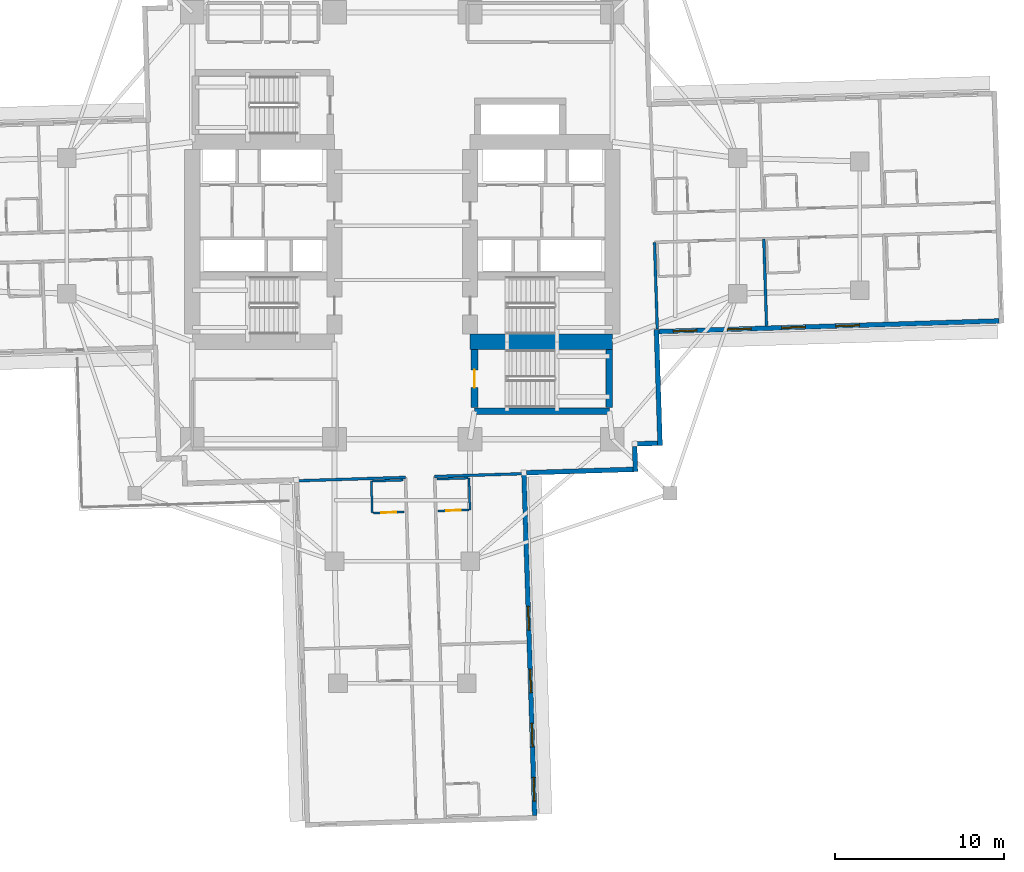
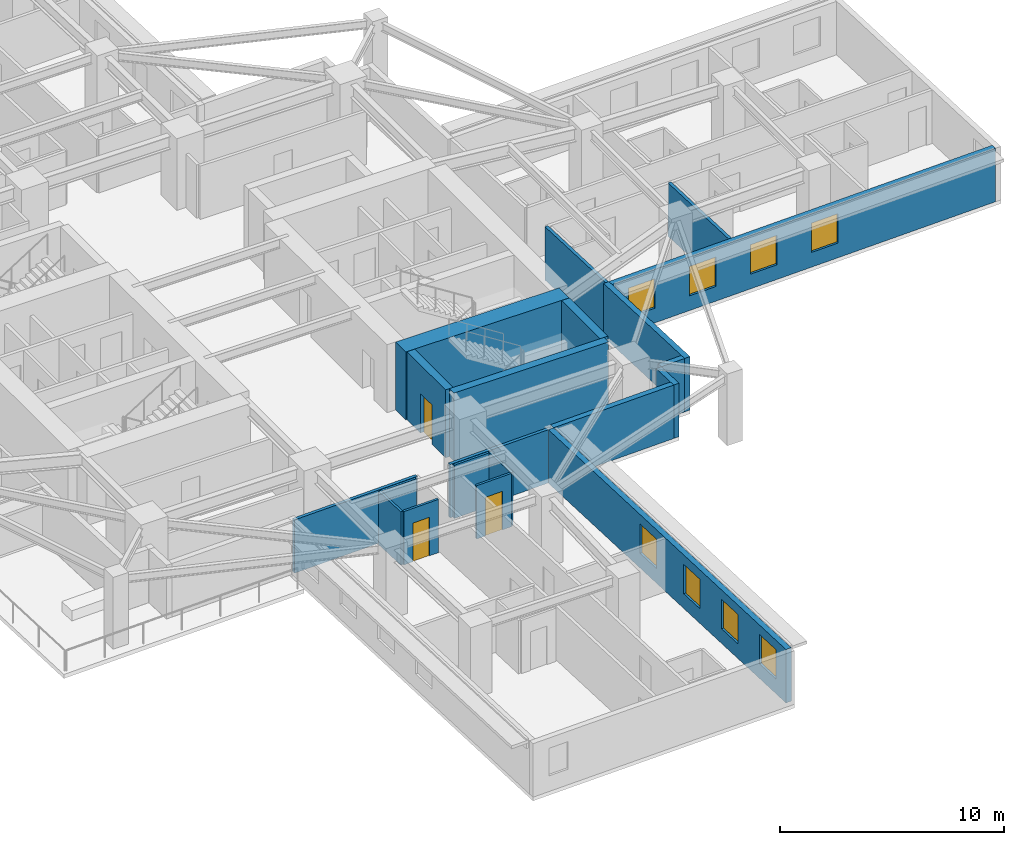
# One storey, part 4 of 14: 20 walls, 8 windows, 3 doors, 11 openings.
"""IFC4 building model written with IfcOpenShell, lengths in metres."""

import ifcopenshell
import ifcopenshell.guid

model = None  # the IFC model being written
_history = None  # IfcOwnerHistory: only IFC2X3 demands one
_inside = {}  # id of a spatial element -> (the spatial element, [elements in it])
_under = {}  # id of a project, library or spatial element -> (it, [spatial elements below it])
_declared = {}  # id of a project -> (the project, [libraries it declares])
_typed = {}  # id of a type object -> (the type object, [elements of that type])
_made_of = {}  # id of a material, layer set ... -> (it, [elements and type objects made of it])


def new_model(schema):
    """Start an empty IFC model of exactly this schema.

    Asked for "IFC4X3", IfcOpenShell would pick the latest addendum, in which some entities
    have other attributes; the version numbers below select the first issue.
    IFC2X3 requires an IfcOwnerHistory on every rooted entity: one is made here for all.
    """
    global model, _history
    if schema == "IFC4X3":
        model = ifcopenshell.file(schema_version=(4, 3, 0, 0))
    else:
        model = ifcopenshell.file(schema=schema)
    _inside.clear()
    _under.clear()
    _declared.clear()
    _typed.clear()
    _made_of.clear()
    _history = None
    if model.schema == "IFC2X3":
        org = make("IfcOrganization", Name="unknown")
        user = make(
            "IfcPersonAndOrganization",
            ThePerson=make("IfcPerson", FamilyName="unknown"),
            TheOrganization=org,
        )
        app = make(
            "IfcApplication",
            ApplicationDeveloper=org,
            Version="unknown",
            ApplicationFullName="unknown",
            ApplicationIdentifier="unknown",
        )
        _history = make(
            "IfcOwnerHistory",
            OwningUser=user,
            OwningApplication=app,
            ChangeAction="ADDED",
            CreationDate=0,
        )
    return model


def make(cls, **values):
    """One entity of the class cls with the attributes given. An attribute that is None is left unset."""
    return model.create_entity(
        cls, **{name: value for name, value in values.items() if value is not None}
    )


def rooted(cls, **values):
    """An entity with a GlobalId (a new one), such as an element, a storey or a relation."""
    return make(cls, GlobalId=ifcopenshell.guid.new(), OwnerHistory=_history, **values)


def si_unit(unit_type, name, prefix=None):
    """IfcSIUnit, for example si_unit("LENGTHUNIT", "METRE", prefix="MILLI")."""
    return make("IfcSIUnit", UnitType=unit_type, Prefix=prefix, Name=name)


def assignment(units):
    """IfcUnitAssignment: the units of a project."""
    return None if units is None else make("IfcUnitAssignment", Units=units)


def point(xyz):
    """IfcCartesianPoint."""
    return None if xyz is None else make("IfcCartesianPoint", Coordinates=xyz)


def direction(xyz):
    """IfcDirection."""
    return None if xyz is None else make("IfcDirection", DirectionRatios=xyz)


def frame(location, z_axis=None, x_axis=None):
    """IfcAxis2Placement3D, a coordinate frame: its origin and axes. An axis left out is left unset."""
    return make(
        "IfcAxis2Placement3D",
        Location=point(location),
        Axis=direction(z_axis),
        RefDirection=direction(x_axis),
    )


def frame_2d(location, x_axis=None):
    """IfcAxis2Placement2D, a coordinate frame in the plane: its origin and x axis."""
    return make(
        "IfcAxis2Placement2D", Location=point(location), RefDirection=direction(x_axis)
    )


def origin():
    """The frame at (0, 0, 0) with its axes left unset."""
    return frame((0.0, 0.0, 0.0))


def place(relative_to, where):
    """IfcLocalPlacement: puts the frame where relative to a parent placement (None: the world)."""
    return make(
        "IfcLocalPlacement", PlacementRelTo=relative_to, RelativePlacement=where
    )


def context(
    kind, dimensions, precision=None, world=None, true_north=None, identifier=None
):
    """IfcGeometricRepresentationContext, for example the 3D "Model" context."""
    return make(
        "IfcGeometricRepresentationContext",
        ContextIdentifier=identifier,
        ContextType=kind,
        CoordinateSpaceDimension=dimensions,
        Precision=precision,
        WorldCoordinateSystem=world,
        TrueNorth=true_north,
    )


def subcontext(parent, identifier, kind, view, scale=None):
    """IfcGeometricRepresentationSubContext, for example "Body" below "Model"."""
    return make(
        "IfcGeometricRepresentationSubContext",
        ContextIdentifier=identifier,
        ContextType=kind,
        ParentContext=parent,
        TargetScale=scale,
        TargetView=view,
    )


def project(units=None, contexts=None):
    """IfcProject with its units and contexts."""
    return rooted(
        "IfcProject",
        Name="project",
        RepresentationContexts=contexts,
        UnitsInContext=assignment(units),
    )


def spatial(cls, under=None, at=None, **own):
    """A site, building, storey or space (cls), placed at a placement, below another one or the project."""
    s = rooted(cls, ObjectPlacement=at, **own)
    if under is not None:
        _under.setdefault(under.id(), (under, []))[1].append(s)
    return s


def profile(cls, at=None, kind="AREA", **sizes):
    """A parametric profile (cls). Its sizes go by their IFC names, for example OverallWidth=200.0."""
    return make(cls, ProfileType=kind, Position=at, **sizes)


def rectangle(**sizes):
    """IfcRectangleProfileDef."""
    return profile("IfcRectangleProfileDef", **sizes)


def extrude(swept, where, along, depth):
    """IfcExtrudedAreaSolid: the profile swept, set in the frame where, extruded along a direction by depth."""
    return make(
        "IfcExtrudedAreaSolid",
        SweptArea=swept,
        Position=where,
        ExtrudedDirection=direction(along),
        Depth=depth,
    )


def shape(context_of_items, identifier, shape_type, items):
    """IfcShapeRepresentation: the items that make up one representation, for example the "Body"."""
    return make(
        "IfcShapeRepresentation",
        ContextOfItems=context_of_items,
        RepresentationIdentifier=identifier,
        RepresentationType=shape_type,
        Items=items,
    )


def material(Name=None, Category=None):
    """IfcMaterial."""
    return make("IfcMaterial", Name=Name, Category=Category)


def layer(
    of_material, thickness, ventilated=None, Name=None, Category=None, Priority=None
):
    """IfcMaterialLayer: one layer of a wall or slab, of a material (None: an air gap)."""
    return make(
        "IfcMaterialLayer",
        Material=of_material,
        LayerThickness=thickness,
        IsVentilated=ventilated,
        Name=Name,
        Category=Category,
        Priority=Priority,
    )


def layer_set(layers, Name=None):
    """IfcMaterialLayerSet."""
    return make("IfcMaterialLayerSet", MaterialLayers=layers, LayerSetName=Name)


def made_of(thing, what):
    """Note that an element or type object is made of a material, layer set ...; save() writes the relation."""
    if what is not None:
        _made_of.setdefault(what.id(), (what, []))[1].append(thing)
    return thing


def type_object(cls, material=None, **own):
    """A type object (cls), such as IfcWallType, which elements share."""
    return made_of(rooted(cls, **own), material)


def element(
    cls,
    number,
    at=None,
    inside=None,
    cuts=None,
    type_object=None,
    material=None,
    context=None,
    identifier="Body",
    shape_type=None,
    held_by="IfcProductDefinitionShape",
    body=None,
    shapes=None,
    **own,
):
    """One element of the class cls, such as IfcWall. Its Tag is "e" and its number.

    at: its placement. inside: the storey or other place that contains it. cuts: it is an
    opening in that element (IfcRelVoidsElement). A single representation is given by context,
    identifier, shape_type and body (its items); several are given by shapes. held_by: the class
    of the entity that holds the representations. save() writes the other relations.
    """
    e = rooted(cls, Tag="e%d" % number, ObjectPlacement=at, **own)
    if body is not None:
        shapes = [shape(context, identifier, shape_type, body)]
    if shapes is not None:
        e.Representation = make(held_by, Representations=shapes)
    if inside is not None:
        _inside.setdefault(inside.id(), (inside, []))[1].append(e)
    if cuts is not None:
        rooted(
            "IfcRelVoidsElement", RelatingBuildingElement=cuts, RelatedOpeningElement=e
        )
    if type_object is not None:
        _typed.setdefault(type_object.id(), (type_object, []))[1].append(e)
    return made_of(e, material)


def fill(opening, filler):
    """IfcRelFillsElement: the door or window that sits in an opening."""
    return rooted(
        "IfcRelFillsElement",
        RelatingOpeningElement=opening,
        RelatedBuildingElement=filler,
    )


def aggregate(whole, parts):
    """IfcRelAggregates: a whole, such as a stair, and the parts it consists of."""
    return rooted("IfcRelAggregates", RelatingObject=whole, RelatedObjects=parts)


def save(model, path):
    """Write the relations noted so far, then the file.

    IfcRelAggregates (storeys below a building ...), IfcRelContainedInSpatialStructure (elements
    in a storey), IfcRelDefinesByType, IfcRelAssociatesMaterial and IfcRelDeclares: one each for
    every whole, place, type object, material and project.
    """
    for whole, parts in _under.values():
        aggregate(whole, parts)
    for where, things in _inside.values():
        rooted(
            "IfcRelContainedInSpatialStructure",
            RelatedElements=things,
            RelatingStructure=where,
        )
    for kind, things in _typed.values():
        rooted("IfcRelDefinesByType", RelatedObjects=things, RelatingType=kind)
    for what, things in _made_of.values():
        rooted("IfcRelAssociatesMaterial", RelatedObjects=things, RelatingMaterial=what)
    for by, libraries in _declared.values():
        rooted("IfcRelDeclares", RelatingContext=by, RelatedDefinitions=libraries)
    model.write(path)


model = new_model("IFC4")

# Units and contexts
model_context = context("Model", 3, precision=1e-05, world=origin(), true_north=direction((0.0, 1.0)))
body_context = subcontext(model_context, "Body", "Model", "MODEL_VIEW")
ifc_project = project(units=[si_unit("LENGTHUNIT", "METRE"), si_unit("AREAUNIT", "SQUARE_METRE"), si_unit("VOLUMEUNIT", "CUBIC_METRE"), si_unit("PLANEANGLEUNIT", "RADIAN"), si_unit("MASSUNIT", "GRAM", prefix="KILO")], contexts=[model_context])

# Site, building, storey
site_placement = place(None, origin())
site = spatial("IfcSite", under=ifc_project, at=site_placement, CompositionType="ELEMENT")
building_placement = place(site_placement, origin())
building = spatial("IfcBuilding", under=site, at=building_placement, Name="Qingluan Cross Belvedere", CompositionType="ELEMENT")
storey_placement = place(building_placement, frame((0.0, 0.0, 56.10009765625)))
storey = spatial("IfcBuildingStorey", under=building, at=storey_placement, Name="L14", CompositionType="ELEMENT", Elevation=56.10009765625)

# Wall
ifc_material_1 = material(Name="Concrete C50", Category="concrete")
ifc_layer_1 = layer(ifc_material_1, 0.449951171875, Name="CoreShearWall_450")
ifc_layer_set_1 = layer_set([ifc_layer_1], Name="Concrete C50")
wall_type_1 = type_object("IfcWallType", Name="CoreShearWall_450", PredefinedType="SHEAR", material=ifc_layer_set_1)
wall_1_placement = place(storey_placement, frame((4.260009765625, -10.93994140625, 0.0), z_axis=(0.0, 0.0, 1.0), x_axis=(1.0, 0.0, 0.0)))
element("IfcWall", 1, at=wall_1_placement, inside=storey, type_object=wall_type_1, Name="Stair ST4 structural wall S L14", PredefinedType="SHEAR", context=body_context, shape_type="SweptSolid", body=[
    extrude(rectangle(XDim=7.9599609375, YDim=0.39990234375, at=frame_2d((3.97998046875, 0.0))), origin(), (0.0, 0.0, 1.0), 3.699951171875),
])

# Wall, opening, door
wall_2_placement = place(storey_placement, frame((4.260009765625, -10.735107421875, 0.0), z_axis=(0.0, 0.0, 1.0), x_axis=(0.0, 1.0, 0.0)))
wall_2 = element("IfcWall", 2, at=wall_2_placement, inside=storey, type_object=wall_type_1, Name="Stair ST4 structural wall W L14", PredefinedType="SHEAR", context=body_context, shape_type="SweptSolid", body=[
    extrude(rectangle(XDim=3.43017578125, YDim=0.39990234375, at=frame_2d((1.715087890625, 0.0))), origin(), (0.0, 0.0, 1.0), 3.699951171875),
])
opening_1_placement = place(wall_2_placement, frame((1.18505859375, 0.0, 0.0)))
opening_1 = element("IfcOpeningElement", 3, at=opening_1_placement, cuts=wall_2, Name="Opening FD-B11", PredefinedType="OPENING", context=body_context, shape_type="SweptSolid", body=[
    extrude(rectangle(XDim=1.050048828125, YDim=2.14990234375, at=frame_2d((0.52490234375, 1.074951171875))), frame((0.0, 0.2099609375, 0.0), z_axis=(0.0, -1.0, 0.0), x_axis=(1.0, 0.0, 0.0)), (0.0, 0.0, 1.0), 0.419921875),
])
ifc_material_2 = material(Name="Steel Class B smoke-seal fire door", Category="steel")
door_type_1 = type_object("IfcDoorType", Name="StairLobbyFireDoor_FDB", OperationType="NOTDEFINED", PredefinedType="DOOR", material=ifc_material_2)
door_1_placement = place(opening_1_placement, origin())
door_1 = element("IfcDoor", 4, at=door_1_placement, inside=storey, type_object=door_type_1, Name="Smoke-proof stair ST4 fire door L14", OperationType="SINGLE_SWING_LEFT", OverallHeight=2.14990234375, OverallWidth=1.050048828125, PredefinedType="DOOR", context=body_context, shape_type="SweptSolid", body=[
    extrude(rectangle(XDim=1.050048828125, YDim=2.14990234375, at=frame_2d((0.52490234375, 1.074951171875))), frame((0.0, 0.02490234375, 0.0), z_axis=(0.0, -1.0, 0.0), x_axis=(1.0, 0.0, 0.0)), (0.0, 0.0, 1.0), 0.050048828125),
])
fill(opening_1, door_1)

# Walls
wall_3_placement = place(storey_placement, frame((12.219970703125, -10.735107421875, 0.0), z_axis=(0.0, 0.0, 1.0), x_axis=(0.0, 1.0, 0.0)))
element("IfcWall", 5, at=wall_3_placement, inside=storey, type_object=wall_type_1, Name="Stair ST4 structural wall E L14", PredefinedType="SHEAR", context=body_context, shape_type="SweptSolid", body=[
    extrude(rectangle(XDim=3.43017578125, YDim=0.39990234375, at=frame_2d((1.715087890625, 0.0))), origin(), (0.0, 0.0, 1.0), 3.699951171875),
])
ifc_material_3 = material(Name="Concrete C70", Category="concrete")
ifc_layer_2 = layer(ifc_material_3, 0.89990234375, Name="CoreShearWall_900")
ifc_layer_set_2 = layer_set([ifc_layer_2], Name="Concrete C70")
wall_type_2 = type_object("IfcWallType", Name="CoreShearWall_900", PredefinedType="SHEAR", material=ifc_layer_set_2)
wall_4_placement = place(storey_placement, frame((4.0, -6.85009765625, 0.0), z_axis=(0.0, 0.0, 1.0), x_axis=(1.0, 0.0, 0.0)))
element("IfcWall", 6, at=wall_4_placement, inside=storey, type_object=wall_type_2, Name="Split core E shear wall L14-S", PredefinedType="SHEAR", context=body_context, shape_type="SweptSolid", body=[
    extrude(rectangle(XDim=8.39990234375, YDim=0.89990234375, at=frame_2d((4.199951171875, 0.0))), origin(), (0.0, 0.0, 1.0), 3.699951171875),
])
ifc_material_4 = material(Name="Gypsum plasterboard on steel stud acoustic partition", Category="steel")
ifc_layer_3 = layer(ifc_material_4, 0.159912109375, Name="CorridorPartition_160")
ifc_layer_set_3 = layer_set([ifc_layer_3], Name="Gypsum plasterboard on steel stud acoustic partition")
wall_type_3 = type_object("IfcWallType", Name="CorridorPartition_160", PredefinedType="PARTITIONING", material=ifc_layer_set_3)
wall_5_placement = place(storey_placement, frame((14.887939453125, -0.972900390625, 0.0), z_axis=(0.0, 0.0, 1.0), x_axis=(0.031445650224, -0.999505463258, 0.0)))
element("IfcWall", 7, at=wall_5_placement, inside=storey, type_object=wall_type_3, Name="Partition L14:E:s1", PredefinedType="PARTITIONING", context=body_context, shape_type="SweptSolid", body=[
    extrude(rectangle(XDim=5.1318359375, YDim=0.159912109375, at=frame_2d((2.56591796875, 0.0))), origin(), (0.0, 0.0, 1.0), 2.89990234375),
])
wall_6_placement = place(storey_placement, frame((21.339599609375, -0.77001953125, 0.0), z_axis=(0.0, 0.0, 1.0), x_axis=(0.031444155076, -0.999505510296, 0.0)))
element("IfcWall", 8, at=wall_6_placement, inside=storey, type_object=wall_type_3, Name="Partition L14:E:d1_0", PredefinedType="PARTITIONING", context=body_context, shape_type="SweptSolid", body=[
    extrude(rectangle(XDim=5.132080078125, YDim=0.159912109375, at=frame_2d((2.56591796875, 0.0))), origin(), (0.0, 0.0, 1.0), 2.89990234375),
])
wall_7_placement = place(storey_placement, frame((1.90576171875, -14.79736328125, 0.0), z_axis=(0.0, 0.0, 1.0), x_axis=(0.99950701053, 0.031396431354, 0.0)))
element("IfcWall", 9, at=wall_7_placement, inside=storey, type_object=wall_type_3, Name="Partition L14:S:s0", PredefinedType="PARTITIONING", context=body_context, shape_type="SweptSolid", body=[
    extrude(rectangle(XDim=5.280029296875, YDim=0.159912109375, at=frame_2d((2.64013671875, 0.0))), origin(), (0.0, 0.0, 1.0), 2.89990234375),
])
wall_8_placement = place(storey_placement, frame((0.1865234375, -14.8515625, 0.0), z_axis=(0.0, 0.0, 1.0), x_axis=(-0.99950721893, -0.031389796217, 0.0)))
element("IfcWall", 10, at=wall_8_placement, inside=storey, type_object=wall_type_3, Name="Partition L14:S:s1", PredefinedType="PARTITIONING", context=body_context, shape_type="SweptSolid", body=[
    extrude(rectangle(XDim=6.43994140625, YDim=0.159912109375, at=frame_2d((3.219970703125, 0.0))), origin(), (0.0, 0.0, 1.0), 2.89990234375),
])

# Wall, opening, door
ifc_material_5 = material(Name="Moisture-resistant gypsum board lining")
ifc_layer_4 = layer(ifc_material_5, 0.1201171875, Name="EnsuiteWetPartition_120")
ifc_layer_set_4 = layer_set([ifc_layer_4], Name="Moisture-resistant gypsum board lining")
wall_type_4 = type_object("IfcWallType", Name="EnsuiteWetPartition_120", PredefinedType="PARTITIONING", material=ifc_layer_set_4)
wall_9_placement = place(storey_placement, frame((2.109619140625, -16.83203125, 0.0), z_axis=(0.0, 0.0, 1.0), x_axis=(0.999507353951, 0.031385496622, 0.0)))
wall_9 = element("IfcWall", 11, at=wall_9_placement, inside=storey, type_object=wall_type_4, Name="Partition L14:S:bs0_0", PredefinedType="PARTITIONING", context=body_context, shape_type="SweptSolid", body=[
    extrude(rectangle(XDim=1.8203125, YDim=0.1201171875, at=frame_2d((0.91015625, 0.0))), origin(), (0.0, 0.0, 1.0), 2.89990234375),
])
opening_2_placement = place(wall_9_placement, frame((0.469970703125, 0.0, 0.0)))
opening_2 = element("IfcOpeningElement", 12, at=opening_2_placement, cuts=wall_9, Name="Opening BD-09", PredefinedType="OPENING", context=body_context, shape_type="SweptSolid", body=[
    extrude(rectangle(XDim=0.8798828125, YDim=2.10009765625, at=frame_2d((0.43994140625, 1.050048828125))), frame((0.0, 0.070068359375, 0.0), z_axis=(0.0, -1.0, 0.0), x_axis=(1.0, 0.0, 0.0)), (0.0, 0.0, 1.0), 0.14013671875),
])
ifc_material_6 = material(Name="Moisture-sealed timber en-suite door", Category="wood")
door_type_2 = type_object("IfcDoorType", Name="BathroomDoor_880", OperationType="NOTDEFINED", PredefinedType="DOOR", material=ifc_material_6)
door_2_placement = place(opening_2_placement, origin())
door_2 = element("IfcDoor", 13, at=door_2_placement, inside=storey, type_object=door_type_2, Name="Bathroom door 1417", OperationType="SINGLE_SWING_RIGHT", OverallHeight=2.10009765625, OverallWidth=0.8798828125, PredefinedType="DOOR", context=body_context, shape_type="SweptSolid", body=[
    extrude(rectangle(XDim=0.8798828125, YDim=2.10009765625, at=frame_2d((0.43994140625, 1.050048828125))), frame((0.0, 0.02490234375, 0.0), z_axis=(0.0, -1.0, 0.0), x_axis=(1.0, 0.0, 0.0)), (0.0, 0.0, 1.0), 0.050048828125),
])
fill(opening_2, door_2)

# Walls
wall_10_placement = place(storey_placement, frame((2.05078125, -14.952880859375, 0.0), z_axis=(0.0, 0.0, 1.0), x_axis=(0.999507221803, 0.031389704724, 0.0)))
element("IfcWall", 14, at=wall_10_placement, inside=storey, type_object=wall_type_4, Name="Partition L14:S:bw0_0", PredefinedType="PARTITIONING", context=body_context, shape_type="SweptSolid", body=[
    extrude(rectangle(XDim=1.820068359375, YDim=0.1201171875, at=frame_2d((0.91015625, 0.0))), origin(), (0.0, 0.0, 1.0), 2.89990234375),
])
wall_11_placement = place(storey_placement, frame((3.934814453125, -14.893798828125, 0.0), z_axis=(0.0, 0.0, 1.0), x_axis=(0.031429371883, -0.999505975261, 0.0)))
element("IfcWall", 15, at=wall_11_placement, inside=storey, type_object=wall_type_4, Name="Partition L14:S:bn0_0", PredefinedType="PARTITIONING", context=body_context, shape_type="SweptSolid", body=[
    extrude(rectangle(XDim=1.8798828125, YDim=0.1201171875, at=frame_2d((0.93994140625, 0.0))), origin(), (0.0, 0.0, 1.0), 2.89990234375),
])

# Wall, opening, door
wall_12_placement = place(storey_placement, frame((-1.70849609375, -16.951904296875, 0.0), z_axis=(0.0, 0.0, 1.0), x_axis=(0.999511421504, 0.031255692016, 0.0)))
wall_12 = element("IfcWall", 16, at=wall_12_placement, inside=storey, type_object=wall_type_4, Name="Partition L14:S:bs1_0", PredefinedType="PARTITIONING", context=body_context, shape_type="SweptSolid", body=[
    extrude(rectangle(XDim=1.820068359375, YDim=0.1201171875, at=frame_2d((0.91015625, 0.0))), origin(), (0.0, 0.0, 1.0), 2.89990234375),
])
opening_3_placement = place(wall_12_placement, frame((0.469970703125, 0.0, 0.0)))
opening_3 = element("IfcOpeningElement", 17, at=opening_3_placement, cuts=wall_12, Name="Opening BD-09", PredefinedType="OPENING", context=body_context, shape_type="SweptSolid", body=[
    extrude(rectangle(XDim=0.8798828125, YDim=2.10009765625, at=frame_2d((0.43994140625, 1.050048828125))), frame((0.0, 0.070068359375, 0.0), z_axis=(0.0, -1.0, 0.0), x_axis=(1.0, 0.0, 0.0)), (0.0, 0.0, 1.0), 0.14013671875),
])
door_3_placement = place(opening_3_placement, origin())
door_3 = element("IfcDoor", 18, at=door_3_placement, inside=storey, type_object=door_type_2, Name="Bathroom door 1419", OperationType="SINGLE_SWING_RIGHT", OverallHeight=2.10009765625, OverallWidth=0.8798828125, PredefinedType="DOOR", context=body_context, shape_type="SweptSolid", body=[
    extrude(rectangle(XDim=0.8798828125, YDim=2.10009765625, at=frame_2d((0.43994140625, 1.050048828125))), frame((0.0, 0.02490234375, 0.0), z_axis=(0.0, -1.0, 0.0), x_axis=(1.0, 0.0, 0.0)), (0.0, 0.0, 1.0), 0.050048828125),
])
fill(opening_3, door_3)

# Walls
wall_13_placement = place(storey_placement, frame((-1.767333984375, -15.072998046875, 0.0), z_axis=(0.0, 0.0, 1.0), x_axis=(0.999507221803, 0.031389704724, 0.0)))
element("IfcWall", 19, at=wall_13_placement, inside=storey, type_object=wall_type_4, Name="Partition L14:S:bw1_0", PredefinedType="PARTITIONING", context=body_context, shape_type="SweptSolid", body=[
    extrude(rectangle(XDim=1.820068359375, YDim=0.1201171875, at=frame_2d((0.91015625, 0.0))), origin(), (0.0, 0.0, 1.0), 2.89990234375),
])
wall_14_placement = place(storey_placement, frame((-1.83251953125, -15.074951171875, 0.0), z_axis=(0.0, 0.0, 1.0), x_axis=(0.031555020134, -0.999502016358, 0.0)))
element("IfcWall", 20, at=wall_14_placement, inside=storey, type_object=wall_type_4, Name="Partition L14:S:bc1_0", PredefinedType="PARTITIONING", context=body_context, shape_type="SweptSolid", body=[
    extrude(rectangle(XDim=1.880126953125, YDim=0.1201171875, at=frame_2d((0.93994140625, 0.0))), origin(), (0.0, 0.0, 1.0), 2.89990234375),
])

# Wall, openings, windows
ifc_material_7 = material(Name="Precast concrete C45", Category="concrete")
ifc_layer_5 = layer(ifc_material_7, 0.280029296875, Name="PrecastFacadeWall_280")
ifc_layer_set_5 = layer_set([ifc_layer_5], Name="Precast concrete C45")
wall_type_5 = type_object("IfcWallType", Name="PrecastFacadeWall_280", PredefinedType="STANDARD", material=ifc_layer_set_5)
wall_15_placement = place(storey_placement, frame((15.143798828125, -6.247314453125, 0.0), z_axis=(0.0, 0.0, 1.0), x_axis=(0.999506955354, 0.031398187845, 0.0)))
wall_15 = element("IfcWall", 21, at=wall_15_placement, inside=storey, type_object=wall_type_5, Name="Facade wall L14-EA", PredefinedType="STANDARD", context=body_context, shape_type="SweptSolid", body=[
    extrude(rectangle(XDim=20.10009765625, YDim=0.280029296875, at=frame_2d((10.050048828125, 0.0))), origin(), (0.0, 0.0, 1.0), 2.909912109375),
])
opening_4_placement = place(wall_15_placement, frame((0.85009765625, 0.0, 0.800048828125)))
opening_4 = element("IfcOpeningElement", 22, at=opening_4_placement, cuts=wall_15, Name="Opening W-01", PredefinedType="OPENING", context=body_context, shape_type="SweptSolid", body=[
    extrude(rectangle(XDim=1.39990234375, YDim=1.60009765625, at=frame_2d((0.699951171875, 0.800048828125))), frame((0.0, 0.14990234375, 0.0), z_axis=(0.0, -1.0, 0.0), x_axis=(1.0, 0.0, 0.0)), (0.0, 0.0, 1.0), 0.300048828125),
])
opening_5_placement = place(wall_15_placement, frame((4.050048828125, 0.0, 0.800048828125)))
opening_5 = element("IfcOpeningElement", 23, at=opening_5_placement, cuts=wall_15, Name="Opening W-01", PredefinedType="OPENING", context=body_context, shape_type="SweptSolid", body=[
    extrude(rectangle(XDim=1.39990234375, YDim=1.60009765625, at=frame_2d((0.699951171875, 0.800048828125))), frame((0.0, 0.14990234375, 0.0), z_axis=(0.0, -1.0, 0.0), x_axis=(1.0, 0.0, 0.0)), (0.0, 0.0, 1.0), 0.300048828125),
])
opening_6_placement = place(wall_15_placement, frame((7.25, 0.0, 0.800048828125)))
opening_6 = element("IfcOpeningElement", 24, at=opening_6_placement, cuts=wall_15, Name="Opening W-01", PredefinedType="OPENING", context=body_context, shape_type="SweptSolid", body=[
    extrude(rectangle(XDim=1.39990234375, YDim=1.60009765625, at=frame_2d((0.699951171875, 0.800048828125))), frame((0.0, 0.14990234375, 0.0), z_axis=(0.0, -1.0, 0.0), x_axis=(1.0, 0.0, 0.0)), (0.0, 0.0, 1.0), 0.300048828125),
])
opening_7_placement = place(wall_15_placement, frame((10.449951171875, 0.0, 0.800048828125)))
opening_7 = element("IfcOpeningElement", 25, at=opening_7_placement, cuts=wall_15, Name="Opening W-01", PredefinedType="OPENING", context=body_context, shape_type="SweptSolid", body=[
    extrude(rectangle(XDim=1.39990234375, YDim=1.60009765625, at=frame_2d((0.699951171875, 0.800048828125))), frame((0.0, 0.14990234375, 0.0), z_axis=(0.0, -1.0, 0.0), x_axis=(1.0, 0.0, 0.0)), (0.0, 0.0, 1.0), 0.300048828125),
])
ifc_material_8 = material(Name="Thermally broken triple Low-E glass in aluminium frame", Category="aluminium")
window_type = type_object("IfcWindowType", Name="TriRibbonWin_1400x1600", PartitioningType="SINGLE_PANEL", PredefinedType="WINDOW", material=ifc_material_8)
window_1_placement = place(opening_4_placement, origin())
window_1 = element("IfcWindow", 26, at=window_1_placement, inside=storey, type_object=window_type, Name="Ribbon window L14-EA-1", OverallHeight=1.60009765625, OverallWidth=1.39990234375, PartitioningType="SINGLE_PANEL", PredefinedType="WINDOW", context=body_context, shape_type="SweptSolid", body=[
    extrude(rectangle(XDim=1.39990234375, YDim=1.60009765625, at=frame_2d((0.699951171875, 0.800048828125))), frame((0.0, 0.030029296875, 0.0), z_axis=(0.0, -1.0, 0.0), x_axis=(1.0, 0.0, 0.0)), (0.0, 0.0, 1.0), 0.06005859375),
])
fill(opening_4, window_1)
window_2_placement = place(opening_5_placement, origin())
window_2 = element("IfcWindow", 27, at=window_2_placement, inside=storey, type_object=window_type, Name="Ribbon window L14-EA-2", OverallHeight=1.60009765625, OverallWidth=1.39990234375, PartitioningType="SINGLE_PANEL", PredefinedType="WINDOW", context=body_context, shape_type="SweptSolid", body=[
    extrude(rectangle(XDim=1.39990234375, YDim=1.60009765625, at=frame_2d((0.699951171875, 0.800048828125))), frame((0.0, 0.030029296875, 0.0), z_axis=(0.0, -1.0, 0.0), x_axis=(1.0, 0.0, 0.0)), (0.0, 0.0, 1.0), 0.06005859375),
])
fill(opening_5, window_2)
window_3_placement = place(opening_6_placement, origin())
window_3 = element("IfcWindow", 28, at=window_3_placement, inside=storey, type_object=window_type, Name="Ribbon window L14-EA-3", OverallHeight=1.60009765625, OverallWidth=1.39990234375, PartitioningType="SINGLE_PANEL", PredefinedType="WINDOW", context=body_context, shape_type="SweptSolid", body=[
    extrude(rectangle(XDim=1.39990234375, YDim=1.60009765625, at=frame_2d((0.699951171875, 0.800048828125))), frame((0.0, 0.030029296875, 0.0), z_axis=(0.0, -1.0, 0.0), x_axis=(1.0, 0.0, 0.0)), (0.0, 0.0, 1.0), 0.06005859375),
])
fill(opening_6, window_3)
window_4_placement = place(opening_7_placement, origin())
window_4 = element("IfcWindow", 29, at=window_4_placement, inside=storey, type_object=window_type, Name="Ribbon window L14-EA-4", OverallHeight=1.60009765625, OverallWidth=1.39990234375, PartitioningType="SINGLE_PANEL", PredefinedType="WINDOW", context=body_context, shape_type="SweptSolid", body=[
    extrude(rectangle(XDim=1.39990234375, YDim=1.60009765625, at=frame_2d((0.699951171875, 0.800048828125))), frame((0.0, 0.030029296875, 0.0), z_axis=(0.0, -1.0, 0.0), x_axis=(1.0, 0.0, 0.0)), (0.0, 0.0, 1.0), 0.06005859375),
])
fill(opening_7, window_4)

wall_16_placement = place(storey_placement, frame((7.8173828125, -34.8115234375, 0.0), z_axis=(0.0, 0.0, 1.0), x_axis=(-0.031410322165, 0.999506574096, 0.0)))
wall_16 = element("IfcWall", 30, at=wall_16_placement, inside=storey, type_object=wall_type_5, Name="Facade wall L14-SB", PredefinedType="STANDARD", context=body_context, shape_type="SweptSolid", body=[
    extrude(rectangle(XDim=20.10009765625, YDim=0.280029296875, at=frame_2d((10.050048828125, 0.0))), origin(), (0.0, 0.0, 1.0), 2.909912109375),
])
opening_8_placement = place(wall_16_placement, frame((0.85009765625, 0.0, 0.800048828125)))
opening_8 = element("IfcOpeningElement", 31, at=opening_8_placement, cuts=wall_16, Name="Opening W-01", PredefinedType="OPENING", context=body_context, shape_type="SweptSolid", body=[
    extrude(rectangle(XDim=1.39990234375, YDim=1.60009765625, at=frame_2d((0.699951171875, 0.800048828125))), frame((0.0, 0.14990234375, 0.0), z_axis=(0.0, -1.0, 0.0), x_axis=(1.0, 0.0, 0.0)), (0.0, 0.0, 1.0), 0.300048828125),
])
opening_9_placement = place(wall_16_placement, frame((4.050048828125, 0.0, 0.800048828125)))
opening_9 = element("IfcOpeningElement", 32, at=opening_9_placement, cuts=wall_16, Name="Opening W-01", PredefinedType="OPENING", context=body_context, shape_type="SweptSolid", body=[
    extrude(rectangle(XDim=1.39990234375, YDim=1.60009765625, at=frame_2d((0.699951171875, 0.800048828125))), frame((0.0, 0.14990234375, 0.0), z_axis=(0.0, -1.0, 0.0), x_axis=(1.0, 0.0, 0.0)), (0.0, 0.0, 1.0), 0.300048828125),
])
opening_10_placement = place(wall_16_placement, frame((7.25, 0.0, 0.800048828125)))
opening_10 = element("IfcOpeningElement", 33, at=opening_10_placement, cuts=wall_16, Name="Opening W-01", PredefinedType="OPENING", context=body_context, shape_type="SweptSolid", body=[
    extrude(rectangle(XDim=1.39990234375, YDim=1.60009765625, at=frame_2d((0.699951171875, 0.800048828125))), frame((0.0, 0.14990234375, 0.0), z_axis=(0.0, -1.0, 0.0), x_axis=(1.0, 0.0, 0.0)), (0.0, 0.0, 1.0), 0.300048828125),
])
opening_11_placement = place(wall_16_placement, frame((10.949951171875, 0.0, 0.800048828125)))
opening_11 = element("IfcOpeningElement", 34, at=opening_11_placement, cuts=wall_16, Name="Opening W-01", PredefinedType="OPENING", context=body_context, shape_type="SweptSolid", body=[
    extrude(rectangle(XDim=1.39990234375, YDim=1.60009765625, at=frame_2d((0.699951171875, 0.800048828125))), frame((0.0, 0.14990234375, 0.0), z_axis=(0.0, -1.0, 0.0), x_axis=(1.0, 0.0, 0.0)), (0.0, 0.0, 1.0), 0.300048828125),
])
window_5_placement = place(opening_8_placement, origin())
window_5 = element("IfcWindow", 35, at=window_5_placement, inside=storey, type_object=window_type, Name="Ribbon window L14-SB-1", OverallHeight=1.60009765625, OverallWidth=1.39990234375, PartitioningType="SINGLE_PANEL", PredefinedType="WINDOW", context=body_context, shape_type="SweptSolid", body=[
    extrude(rectangle(XDim=1.39990234375, YDim=1.60009765625, at=frame_2d((0.699951171875, 0.800048828125))), frame((0.0, 0.030029296875, 0.0), z_axis=(0.0, -1.0, 0.0), x_axis=(1.0, 0.0, 0.0)), (0.0, 0.0, 1.0), 0.06005859375),
])
fill(opening_8, window_5)
window_6_placement = place(opening_9_placement, origin())
window_6 = element("IfcWindow", 36, at=window_6_placement, inside=storey, type_object=window_type, Name="Ribbon window L14-SB-2", OverallHeight=1.60009765625, OverallWidth=1.39990234375, PartitioningType="SINGLE_PANEL", PredefinedType="WINDOW", context=body_context, shape_type="SweptSolid", body=[
    extrude(rectangle(XDim=1.39990234375, YDim=1.60009765625, at=frame_2d((0.699951171875, 0.800048828125))), frame((0.0, 0.030029296875, 0.0), z_axis=(0.0, -1.0, 0.0), x_axis=(1.0, 0.0, 0.0)), (0.0, 0.0, 1.0), 0.06005859375),
])
fill(opening_9, window_6)
window_7_placement = place(opening_10_placement, origin())
window_7 = element("IfcWindow", 37, at=window_7_placement, inside=storey, type_object=window_type, Name="Ribbon window L14-SB-3", OverallHeight=1.60009765625, OverallWidth=1.39990234375, PartitioningType="SINGLE_PANEL", PredefinedType="WINDOW", context=body_context, shape_type="SweptSolid", body=[
    extrude(rectangle(XDim=1.39990234375, YDim=1.60009765625, at=frame_2d((0.699951171875, 0.800048828125))), frame((0.0, 0.030029296875, 0.0), z_axis=(0.0, -1.0, 0.0), x_axis=(1.0, 0.0, 0.0)), (0.0, 0.0, 1.0), 0.06005859375),
])
fill(opening_10, window_7)
window_8_placement = place(opening_11_placement, origin())
window_8 = element("IfcWindow", 38, at=window_8_placement, inside=storey, type_object=window_type, Name="Ribbon window L14-SB-4", OverallHeight=1.60009765625, OverallWidth=1.39990234375, PartitioningType="SINGLE_PANEL", PredefinedType="WINDOW", context=body_context, shape_type="SweptSolid", body=[
    extrude(rectangle(XDim=1.39990234375, YDim=1.60009765625, at=frame_2d((0.699951171875, 0.800048828125))), frame((0.0, 0.030029296875, 0.0), z_axis=(0.0, -1.0, 0.0), x_axis=(1.0, 0.0, 0.0)), (0.0, 0.0, 1.0), 0.06005859375),
])
fill(opening_11, window_8)

# Walls
wall_17_placement = place(storey_placement, frame((14.99951171875, -6.11181640625, 0.0), z_axis=(0.0, 0.0, 1.0), x_axis=(0.031389189386, -0.999507237988, 0.0)))
element("IfcWall", 39, at=wall_17_placement, inside=storey, type_object=wall_type_5, Name="Corner wall L14-SE1", PredefinedType="STANDARD", context=body_context, shape_type="SweptSolid", body=[
    extrude(rectangle(XDim=6.860107421875, YDim=0.280029296875, at=frame_2d((3.43017578125, 0.0))), origin(), (0.0, 0.0, 1.0), 2.909912109375),
])
wall_18_placement = place(storey_placement, frame((15.070556640625, -12.8330078125, 0.0), z_axis=(0.0, 0.0, 1.0), x_axis=(-0.999506398264, -0.031415916822, 0.0)))
element("IfcWall", 40, at=wall_18_placement, inside=storey, type_object=wall_type_5, Name="Corner wall L14-SE2", PredefinedType="STANDARD", context=body_context, shape_type="SweptSolid", body=[
    extrude(rectangle(XDim=1.219970703125, YDim=0.280029296875, at=frame_2d((0.60986328125, 0.0))), origin(), (0.0, 0.0, 1.0), 2.909912109375),
])
wall_19_placement = place(storey_placement, frame((13.715576171875, -13.015625, 0.0), z_axis=(0.0, 0.0, 1.0), x_axis=(0.031412596484, -0.999506502621, 0.0)))
element("IfcWall", 41, at=wall_19_placement, inside=storey, type_object=wall_type_5, Name="Corner wall L14-SE3", PredefinedType="STANDARD", context=body_context, shape_type="SweptSolid", body=[
    extrude(rectangle(XDim=1.5, YDim=0.280029296875, at=frame_2d((0.75, 0.0))), origin(), (0.0, 0.0, 1.0), 2.909912109375),
])
wall_20_placement = place(storey_placement, frame((13.618408203125, -14.37939453125, 0.0), z_axis=(0.0, 0.0, 1.0), x_axis=(-0.999507224741, -0.031389611199, 0.0)))
element("IfcWall", 42, at=wall_20_placement, inside=storey, type_object=wall_type_5, Name="Corner wall L14-SE4", PredefinedType="STANDARD", context=body_context, shape_type="SweptSolid", body=[
    extrude(rectangle(XDim=6.300048828125, YDim=0.280029296875, at=frame_2d((3.14990234375, 0.0))), origin(), (0.0, 0.0, 1.0), 2.909912109375),
])

save(model, "model.ifc")
